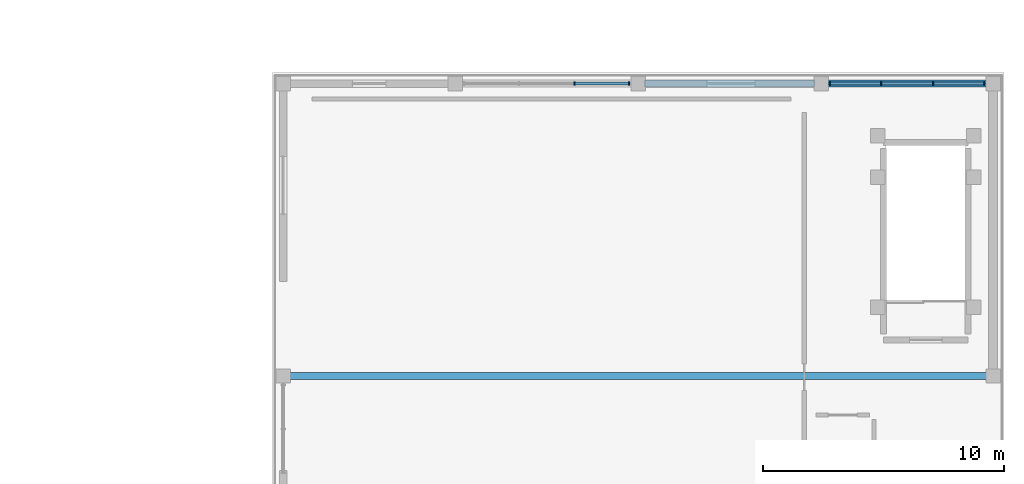
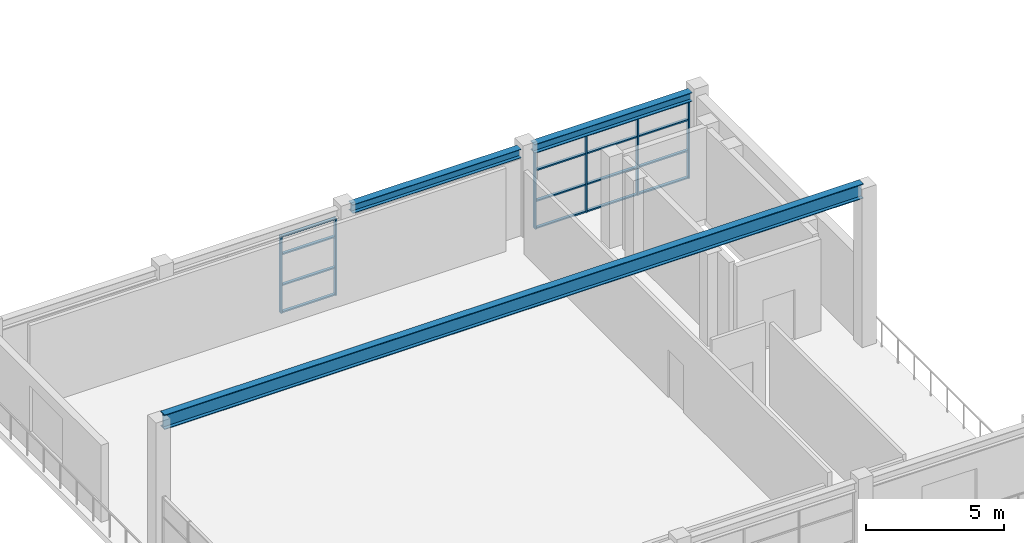
# One storey, part 21 of 87: 22 members, 3 beams, 2 elements without a shape of their own.
"""IFC4 building model written with IfcOpenShell, lengths in metres."""

from ifc_helpers import new_model, si_unit, direction, frame, origin, origin_2d, place, context, subcontext, project, spatial, rectangle, i_section, extrude, material, material_profile, profile_set, type_object, element, aggregate, save


model = new_model("IFC4")

# Units and contexts
model_context = context("Model", 3, precision=1e-05, world=origin(), true_north=direction((0.0, 1.0)))
body_context = subcontext(model_context, "Body", "Model", "MODEL_VIEW")
ifc_project = project(units=[si_unit("LENGTHUNIT", "METRE"), si_unit("AREAUNIT", "SQUARE_METRE"), si_unit("VOLUMEUNIT", "CUBIC_METRE"), si_unit("PLANEANGLEUNIT", "RADIAN"), si_unit("MASSUNIT", "GRAM", prefix="KILO")], contexts=[model_context])

# Site, building, storey
site_placement = place(None, origin())
site = spatial("IfcSite", under=ifc_project, at=site_placement, CompositionType="ELEMENT")
building_placement = place(site_placement, origin())
building = spatial("IfcBuilding", under=site, at=building_placement, Name="Saryqyr Civic Hall", CompositionType="ELEMENT")
storey_placement = place(building_placement, frame((0.0, 0.0, 5.10009765625)))
storey = spatial("IfcBuildingStorey", under=building, at=storey_placement, Name="L01", CompositionType="ELEMENT", Elevation=5.10009765625)

# Curtain wall, members
ifc_material_1 = material(Name="Anodised aluminium and triple low-E glass", Category="aluminium")
curtain_wall_type_1 = type_object("IfcCurtainWallType", Name="ENV-CW-STD-61", PredefinedType="NOTDEFINED", material=ifc_material_1)
curtain_wall_1_placement = place(storey_placement, origin())
curtain_wall_1 = element("IfcCurtainWall", 1, at=curtain_wall_1_placement, inside=storey, type_object=curtain_wall_type_1, Name="Curtain wall V7E-CW-L01-2-1", PredefinedType="NOTDEFINED")
ifc_material_2 = material(Name="Anodised aluminium", Category="aluminium")
ifc_material_profile_1 = material_profile(ifc_material_2, rectangle(XDim=0.06005859375, YDim=0.159912109375, at=origin_2d()), Name="ALU MULLION 60x160")
ifc_profile_set_1 = profile_set([ifc_material_profile_1], Name="Anodised aluminium")
member_type_1 = type_object("IfcMemberType", Name="ENV-CW-MUL-180", PredefinedType="MULLION", material=ifc_profile_set_1)
member_1_placement = place(storey_placement, frame((96.1533203125, 24.75, 0.0), z_axis=(0.0, 0.0, 1.0), x_axis=(1.0, 0.0, 0.0)))
member_1 = element("IfcMember", 2, at=member_1_placement, type_object=member_type_1, Name="CW-61 mullion 3", PredefinedType="MULLION", context=body_context, shape_type="SweptSolid", body=[
    extrude(rectangle(XDim=0.06005859375, YDim=0.159912109375, at=origin_2d()), origin(), (0.0, 0.0, 1.0), 3.40478515625),
])
member_2_placement = place(storey_placement, frame((98.429931640625, 24.75, 0.0), z_axis=(0.0, 0.0, 1.0), x_axis=(1.0, 0.0, 0.0)))
member_2 = element("IfcMember", 3, at=member_2_placement, type_object=member_type_1, Name="CW-61 mullion 4", PredefinedType="MULLION", context=body_context, shape_type="SweptSolid", body=[
    extrude(rectangle(XDim=0.06005859375, YDim=0.159912109375, at=origin_2d()), origin(), (0.0, 0.0, 1.0), 3.40478515625),
])

curtain_wall_type_2 = type_object("IfcCurtainWallType", Name="ENV-CW-STD-62", PredefinedType="NOTDEFINED", material=ifc_material_1)
curtain_wall_2_placement = place(storey_placement, origin())
curtain_wall_2 = element("IfcCurtainWall", 4, at=curtain_wall_2_placement, inside=storey, type_object=curtain_wall_type_2, Name="Curtain wall V7E-CW-L01-2-3", PredefinedType="NOTDEFINED")
member_3_placement = place(storey_placement, frame((106.77001953125, 24.75, 0.0), z_axis=(0.0, 0.0, 1.0), x_axis=(1.0, 0.0, 0.0)))
member_3 = element("IfcMember", 5, at=member_3_placement, type_object=member_type_1, Name="CW-62 mullion 1", PredefinedType="MULLION", context=body_context, shape_type="SweptSolid", body=[
    extrude(rectangle(XDim=0.06005859375, YDim=0.159912109375, at=origin_2d()), origin(), (0.0, 0.0, 1.0), 3.40478515625),
])
member_4_placement = place(storey_placement, frame((108.896728515625, 24.75, 0.0), z_axis=(0.0, 0.0, 1.0), x_axis=(1.0, 0.0, 0.0)))
member_4 = element("IfcMember", 6, at=member_4_placement, type_object=member_type_1, Name="CW-62 mullion 2", PredefinedType="MULLION", context=body_context, shape_type="SweptSolid", body=[
    extrude(rectangle(XDim=0.06005859375, YDim=0.159912109375, at=origin_2d()), origin(), (0.0, 0.0, 1.0), 3.40478515625),
])
member_5_placement = place(storey_placement, frame((111.05322265625, 24.75, 0.0), z_axis=(0.0, 0.0, 1.0), x_axis=(1.0, 0.0, 0.0)))
member_5 = element("IfcMember", 7, at=member_5_placement, type_object=member_type_1, Name="CW-62 mullion 3", PredefinedType="MULLION", context=body_context, shape_type="SweptSolid", body=[
    extrude(rectangle(XDim=0.06005859375, YDim=0.159912109375, at=origin_2d()), origin(), (0.0, 0.0, 1.0), 3.40478515625),
])
member_6_placement = place(storey_placement, frame((113.179931640625, 24.75, 0.0), z_axis=(0.0, 0.0, 1.0), x_axis=(1.0, 0.0, 0.0)))
member_6 = element("IfcMember", 8, at=member_6_placement, type_object=member_type_1, Name="CW-62 mullion 4", PredefinedType="MULLION", context=body_context, shape_type="SweptSolid", body=[
    extrude(rectangle(XDim=0.06005859375, YDim=0.159912109375, at=origin_2d()), origin(), (0.0, 0.0, 1.0), 3.40478515625),
])

# Member
ifc_material_profile_2 = material_profile(ifc_material_2, rectangle(XDim=0.1201171875, YDim=0.06005859375, at=origin_2d()), Name="ALU TRANSOM 120x60")
ifc_profile_set_2 = profile_set([ifc_material_profile_2], Name="Anodised aluminium")
member_type_2 = type_object("IfcMemberType", Name="ENV-CW-TRN-150", PredefinedType="USERDEFINED", material=ifc_profile_set_2)
member_7_placement = place(storey_placement, frame((96.183349609375, 24.75, 0.02978515625), z_axis=(1.0, 0.0, 0.0), x_axis=(0.0, 1.0, 0.0)))
member_7 = element("IfcMember", 9, at=member_7_placement, type_object=member_type_2, Name="CW-61 transom 3.1", ObjectType="TRANSOM", PredefinedType="USERDEFINED", context=body_context, shape_type="SweptSolid", body=[
    extrude(rectangle(XDim=0.1201171875, YDim=0.06005859375, at=origin_2d()), origin(), (0.0, 0.0, 1.0), 2.216552734375),
])

member_8_placement = place(storey_placement, frame((96.183349609375, 24.75, 1.225830078125), z_axis=(1.0, 0.0, 0.0), x_axis=(0.0, 1.0, 0.0)))
member_8 = element("IfcMember", 10, at=member_8_placement, type_object=member_type_2, Name="CW-61 transom 3.2", ObjectType="TRANSOM", PredefinedType="USERDEFINED", context=body_context, shape_type="SweptSolid", body=[
    extrude(rectangle(XDim=0.1201171875, YDim=0.06005859375, at=origin_2d()), origin(), (0.0, 0.0, 1.0), 2.216552734375),
])

member_9_placement = place(storey_placement, frame((96.183349609375, 24.75, 2.587890625), z_axis=(1.0, 0.0, 0.0), x_axis=(0.0, 1.0, 0.0)))
member_9 = element("IfcMember", 11, at=member_9_placement, type_object=member_type_2, Name="CW-61 transom 3.3", ObjectType="TRANSOM", PredefinedType="USERDEFINED", context=body_context, shape_type="SweptSolid", body=[
    extrude(rectangle(XDim=0.1201171875, YDim=0.06005859375, at=origin_2d()), origin(), (0.0, 0.0, 1.0), 2.216552734375),
])

member_10_placement = place(storey_placement, frame((96.183349609375, 24.75, 3.375), z_axis=(1.0, 0.0, 0.0), x_axis=(0.0, 1.0, 0.0)))
member_10 = element("IfcMember", 12, at=member_10_placement, type_object=member_type_2, Name="CW-61 transom 3.4", ObjectType="TRANSOM", PredefinedType="USERDEFINED", context=body_context, shape_type="SweptSolid", body=[
    extrude(rectangle(XDim=0.1201171875, YDim=0.06005859375, at=origin_2d()), origin(), (0.0, 0.0, 1.0), 2.216552734375),
])

aggregate(curtain_wall_1, [member_1, member_2, member_7, member_8, member_9, member_10])

member_11_placement = place(storey_placement, frame((106.800048828125, 24.75, 0.02978515625), z_axis=(1.0, 0.0, 0.0), x_axis=(0.0, 1.0, 0.0)))
member_11 = element("IfcMember", 13, at=member_11_placement, type_object=member_type_2, Name="CW-62 transom 1.1", ObjectType="TRANSOM", PredefinedType="USERDEFINED", context=body_context, shape_type="SweptSolid", body=[
    extrude(rectangle(XDim=0.1201171875, YDim=0.06005859375, at=origin_2d()), origin(), (0.0, 0.0, 1.0), 2.066650390625),
])

member_12_placement = place(storey_placement, frame((106.800048828125, 24.75, 1.225830078125), z_axis=(1.0, 0.0, 0.0), x_axis=(0.0, 1.0, 0.0)))
member_12 = element("IfcMember", 14, at=member_12_placement, type_object=member_type_2, Name="CW-62 transom 1.2", ObjectType="TRANSOM", PredefinedType="USERDEFINED", context=body_context, shape_type="SweptSolid", body=[
    extrude(rectangle(XDim=0.1201171875, YDim=0.06005859375, at=origin_2d()), origin(), (0.0, 0.0, 1.0), 2.066650390625),
])

member_13_placement = place(storey_placement, frame((106.800048828125, 24.75, 2.587890625), z_axis=(1.0, 0.0, 0.0), x_axis=(0.0, 1.0, 0.0)))
member_13 = element("IfcMember", 15, at=member_13_placement, type_object=member_type_2, Name="CW-62 transom 1.3", ObjectType="TRANSOM", PredefinedType="USERDEFINED", context=body_context, shape_type="SweptSolid", body=[
    extrude(rectangle(XDim=0.1201171875, YDim=0.06005859375, at=origin_2d()), origin(), (0.0, 0.0, 1.0), 2.066650390625),
])

member_14_placement = place(storey_placement, frame((106.800048828125, 24.75, 3.375), z_axis=(1.0, 0.0, 0.0), x_axis=(0.0, 1.0, 0.0)))
member_14 = element("IfcMember", 16, at=member_14_placement, type_object=member_type_2, Name="CW-62 transom 1.4", ObjectType="TRANSOM", PredefinedType="USERDEFINED", context=body_context, shape_type="SweptSolid", body=[
    extrude(rectangle(XDim=0.1201171875, YDim=0.06005859375, at=origin_2d()), origin(), (0.0, 0.0, 1.0), 2.066650390625),
])

member_15_placement = place(storey_placement, frame((108.9267578125, 24.75, 0.02978515625), z_axis=(1.0, 0.0, 0.0), x_axis=(0.0, 1.0, 0.0)))
member_15 = element("IfcMember", 17, at=member_15_placement, type_object=member_type_2, Name="CW-62 transom 2.1", ObjectType="TRANSOM", PredefinedType="USERDEFINED", context=body_context, shape_type="SweptSolid", body=[
    extrude(rectangle(XDim=0.1201171875, YDim=0.06005859375, at=origin_2d()), origin(), (0.0, 0.0, 1.0), 2.0966796875),
])

member_16_placement = place(storey_placement, frame((108.9267578125, 24.75, 1.225830078125), z_axis=(1.0, 0.0, 0.0), x_axis=(0.0, 1.0, 0.0)))
member_16 = element("IfcMember", 18, at=member_16_placement, type_object=member_type_2, Name="CW-62 transom 2.2", ObjectType="TRANSOM", PredefinedType="USERDEFINED", context=body_context, shape_type="SweptSolid", body=[
    extrude(rectangle(XDim=0.1201171875, YDim=0.06005859375, at=origin_2d()), origin(), (0.0, 0.0, 1.0), 2.0966796875),
])

member_17_placement = place(storey_placement, frame((108.9267578125, 24.75, 2.587890625), z_axis=(1.0, 0.0, 0.0), x_axis=(0.0, 1.0, 0.0)))
member_17 = element("IfcMember", 19, at=member_17_placement, type_object=member_type_2, Name="CW-62 transom 2.3", ObjectType="TRANSOM", PredefinedType="USERDEFINED", context=body_context, shape_type="SweptSolid", body=[
    extrude(rectangle(XDim=0.1201171875, YDim=0.06005859375, at=origin_2d()), origin(), (0.0, 0.0, 1.0), 2.0966796875),
])

member_18_placement = place(storey_placement, frame((108.9267578125, 24.75, 3.375), z_axis=(1.0, 0.0, 0.0), x_axis=(0.0, 1.0, 0.0)))
member_18 = element("IfcMember", 20, at=member_18_placement, type_object=member_type_2, Name="CW-62 transom 2.4", ObjectType="TRANSOM", PredefinedType="USERDEFINED", context=body_context, shape_type="SweptSolid", body=[
    extrude(rectangle(XDim=0.1201171875, YDim=0.06005859375, at=origin_2d()), origin(), (0.0, 0.0, 1.0), 2.0966796875),
])

member_19_placement = place(storey_placement, frame((111.083251953125, 24.75, 0.02978515625), z_axis=(1.0, 0.0, 0.0), x_axis=(0.0, 1.0, 0.0)))
member_19 = element("IfcMember", 21, at=member_19_placement, type_object=member_type_2, Name="CW-62 transom 3.1", ObjectType="TRANSOM", PredefinedType="USERDEFINED", context=body_context, shape_type="SweptSolid", body=[
    extrude(rectangle(XDim=0.1201171875, YDim=0.06005859375, at=origin_2d()), origin(), (0.0, 0.0, 1.0), 2.066650390625),
])

member_20_placement = place(storey_placement, frame((111.083251953125, 24.75, 1.225830078125), z_axis=(1.0, 0.0, 0.0), x_axis=(0.0, 1.0, 0.0)))
member_20 = element("IfcMember", 22, at=member_20_placement, type_object=member_type_2, Name="CW-62 transom 3.2", ObjectType="TRANSOM", PredefinedType="USERDEFINED", context=body_context, shape_type="SweptSolid", body=[
    extrude(rectangle(XDim=0.1201171875, YDim=0.06005859375, at=origin_2d()), origin(), (0.0, 0.0, 1.0), 2.066650390625),
])

member_21_placement = place(storey_placement, frame((111.083251953125, 24.75, 2.587890625), z_axis=(1.0, 0.0, 0.0), x_axis=(0.0, 1.0, 0.0)))
member_21 = element("IfcMember", 23, at=member_21_placement, type_object=member_type_2, Name="CW-62 transom 3.3", ObjectType="TRANSOM", PredefinedType="USERDEFINED", context=body_context, shape_type="SweptSolid", body=[
    extrude(rectangle(XDim=0.1201171875, YDim=0.06005859375, at=origin_2d()), origin(), (0.0, 0.0, 1.0), 2.066650390625),
])

member_22_placement = place(storey_placement, frame((111.083251953125, 24.75, 3.375), z_axis=(1.0, 0.0, 0.0), x_axis=(0.0, 1.0, 0.0)))
member_22 = element("IfcMember", 24, at=member_22_placement, type_object=member_type_2, Name="CW-62 transom 3.4", ObjectType="TRANSOM", PredefinedType="USERDEFINED", context=body_context, shape_type="SweptSolid", body=[
    extrude(rectangle(XDim=0.1201171875, YDim=0.06005859375, at=origin_2d()), origin(), (0.0, 0.0, 1.0), 2.066650390625),
])

aggregate(curtain_wall_2, [member_3, member_4, member_5, member_6, member_11, member_12, member_13, member_14, member_15, member_16, member_17, member_18, member_19, member_20, member_21, member_22])

# Beams
ifc_material_3 = material(Name="Steel S355", Category="steel")
ifc_material_profile_3 = material_profile(ifc_material_3, i_section(OverallWidth=0.300048828125, OverallDepth=0.389892578125, WebThickness=0.010986328125, FlangeThickness=0.01904296875, at=origin_2d()), Name="HEA 400")
ifc_profile_set_3 = profile_set([ifc_material_profile_3], Name="Steel S355")
beam_type_1 = type_object("IfcBeamType", Name="STR-BM-HEA400", PredefinedType="BEAM", material=ifc_profile_set_3)
beam_1_placement = place(storey_placement, frame((99.074951171875, 24.75, 3.625), z_axis=(1.0, 0.0, 0.0), x_axis=(0.0, 1.0, 0.0)))
element("IfcBeam", 25, at=beam_1_placement, inside=storey, type_object=beam_type_1, Name="Beam V7E-EBM-N3", PredefinedType="BEAM", context=body_context, shape_type="SweptSolid", body=[
    extrude(i_section(OverallWidth=0.300048828125, OverallDepth=0.389892578125, WebThickness=0.010986328125, FlangeThickness=0.01904296875, at=origin_2d()), origin(), (0.0, 0.0, 1.0), 7.050048828125),
])
beam_2_placement = place(storey_placement, frame((106.675048828125, 24.75, 3.625), z_axis=(1.0, 0.0, 0.0), x_axis=(0.0, 1.0, 0.0)))
element("IfcBeam", 26, at=beam_2_placement, inside=storey, type_object=beam_type_1, Name="Beam V7E-EBM-N4", PredefinedType="BEAM", context=body_context, shape_type="SweptSolid", body=[
    extrude(i_section(OverallWidth=0.300048828125, OverallDepth=0.389892578125, WebThickness=0.010986328125, FlangeThickness=0.01904296875, at=origin_2d()), origin(), (0.0, 0.0, 1.0), 6.599853515625),
])
ifc_material_profile_4 = material_profile(ifc_material_3, i_section(OverallWidth=0.300048828125, OverallDepth=0.64990234375, WebThickness=0.01611328125, FlangeThickness=0.031005859375, at=origin_2d()), Name="HEB 650")
ifc_profile_set_4 = profile_set([ifc_material_profile_4], Name="Steel S355")
beam_type_2 = type_object("IfcBeamType", Name="STR-BM-HEB650", PredefinedType="BEAM", material=ifc_profile_set_4)
beam_3_placement = place(storey_placement, frame((84.199951171875, 12.60009765625, 6.785400390625), z_axis=(1.0, 0.0, 0.0), x_axis=(0.0, 1.0, 0.0)))
element("IfcBeam", 27, at=beam_3_placement, inside=storey, type_object=beam_type_2, Name="Gatehouse ridge girder E", PredefinedType="BEAM", context=body_context, shape_type="SweptSolid", body=[
    extrude(i_section(OverallWidth=0.300048828125, OverallDepth=0.64990234375, WebThickness=0.01611328125, FlangeThickness=0.031005859375, at=origin_2d()), origin(), (0.0, 0.0, 1.0), 29.199951171875),
])

save(model, "model.ifc")
